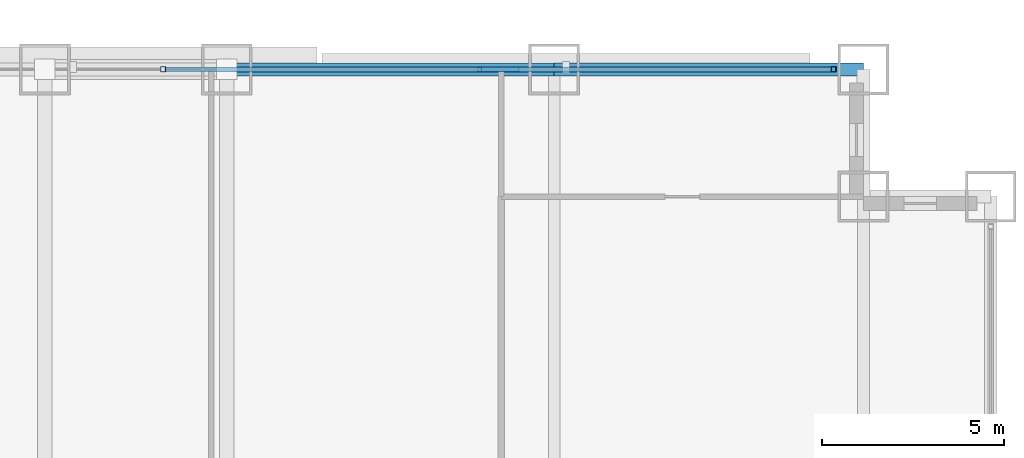
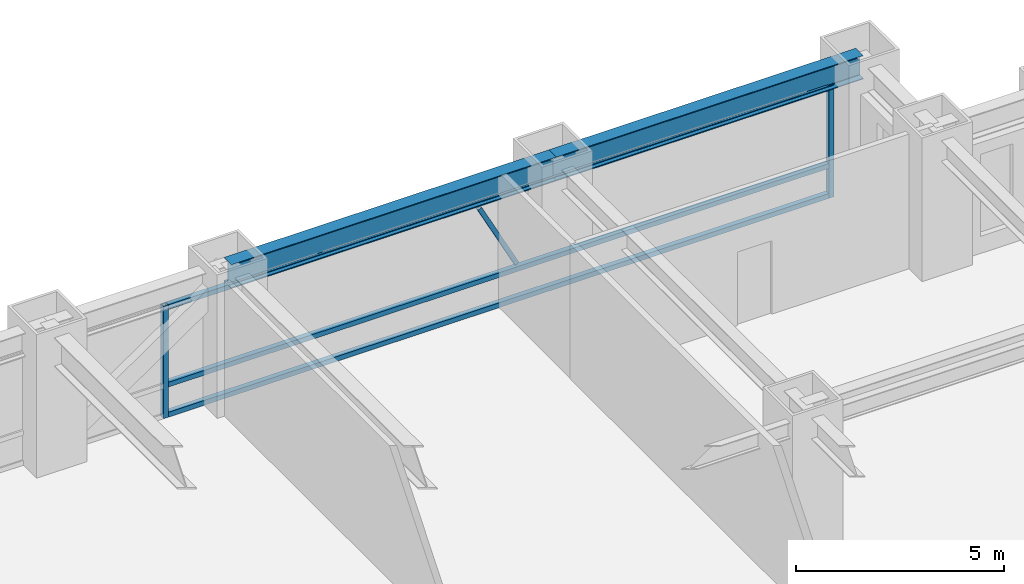
# One storey, part 21 of 31: 6 members, 2 beams, 1 element without a shape of its own.
"""IFC4 building model written with IfcOpenShell, lengths in metres."""

from ifc_helpers import new_model, si_unit, direction, frame, origin, origin_2d, place, context, subcontext, project, spatial, hollow_rectangle, i_section, extrude, source, transform, mapped, material, material_profile, profile_set, type_object, element, aggregate, save


model = new_model("IFC4")

# Units and contexts
model_context = context("Model", 3, precision=1e-05, world=origin(), true_north=direction((0.0, 1.0)))
body_context = subcontext(model_context, "Body", "Model", "MODEL_VIEW")
ifc_project = project(units=[si_unit("LENGTHUNIT", "METRE"), si_unit("AREAUNIT", "SQUARE_METRE"), si_unit("VOLUMEUNIT", "CUBIC_METRE"), si_unit("PLANEANGLEUNIT", "RADIAN"), si_unit("MASSUNIT", "GRAM", prefix="KILO")], contexts=[model_context])

# Site, building, storey
site_placement = place(None, origin())
site = spatial("IfcSite", under=ifc_project, at=site_placement, CompositionType="ELEMENT")
building_placement = place(site_placement, origin())
building = spatial("IfcBuilding", under=site, at=building_placement, Name="Khorayat Bourse Tower", CompositionType="ELEMENT")
storey_placement = place(building_placement, frame((0.0, 0.0, 32.60009765625)))
storey = spatial("IfcBuildingStorey", under=building, at=storey_placement, Name="L06", CompositionType="ELEMENT", Elevation=32.60009765625)

# Beams
ifc_material_1 = material(Name="Steel ASTM A992 Grade 50", Category="steel")
ifc_material_profile_1 = material_profile(ifc_material_1, i_section(OverallWidth=0.35498046875, OverallDepth=0.695068359375, WebThickness=0.015380859375, FlangeThickness=0.02490234375, FilletRadius=0.01806640625, at=origin_2d()), Name="W690X217")
ifc_profile_set_1 = profile_set([ifc_material_profile_1], Name="Steel ASTM A992 Grade 50")
beam_type = type_object("IfcBeamType", Name="BM-SPAN-690", PredefinedType="SPANDREL", material=ifc_profile_set_1)
shared_shape_1 = source(origin(), body_context, "Body", "SweptSolid", [
    extrude(i_section(OverallWidth=0.35498046875, OverallDepth=0.695068359375, WebThickness=0.015380859375, FlangeThickness=0.02490234375, FilletRadius=0.01806640625, at=origin_2d()), origin(), (0.0, 0.0, 1.0), 8.5),
])
beam_1_placement = place(storey_placement, frame((20.0, 32.0, 3.59228515625), z_axis=(1.0, 0.0, 0.0), x_axis=(0.0, 1.0, 0.0)))
element("IfcBeam", 1, at=beam_1_placement, inside=storey, type_object=beam_type, Name="L06 BM-SPAN-690 BM-L06-SPN-044", PredefinedType="SPANDREL", context=body_context, shape_type="MappedRepresentation", body=[
    mapped(shared_shape_1, transform((0.0, 0.0, 0.0), scale=1.0)),
])
shared_shape_2 = source(origin(), body_context, "Body", "SweptSolid", [
    extrude(i_section(OverallWidth=0.35498046875, OverallDepth=0.695068359375, WebThickness=0.015380859375, FlangeThickness=0.02490234375, FilletRadius=0.01806640625, at=origin_2d()), origin(), (0.0, 0.0, 1.0), 9.0),
])
beam_2_placement = place(storey_placement, frame((11.0, 32.0, 3.59228515625), z_axis=(1.0, 0.0, 0.0), x_axis=(0.0, 1.0, 0.0)))
element("IfcBeam", 2, at=beam_2_placement, inside=storey, type_object=beam_type, Name="L06 BM-SPAN-690 BM-L06-SPN-045", PredefinedType="SPANDREL", context=body_context, shape_type="MappedRepresentation", body=[
    mapped(shared_shape_2, transform((0.0, 0.0, 0.0), scale=1.0)),
])

# Curtain wall, members
ifc_material_2 = material(Name="Aluminium EN AW-6063 T6", Category="aluminium")
curtain_wall_type = type_object("IfcCurtainWallType", Name="CW-SYS-02", PredefinedType="NOTDEFINED", material=ifc_material_2)
curtain_wall_placement = place(storey_placement, origin())
curtain_wall = element("IfcCurtainWall", 3, at=curtain_wall_placement, inside=storey, type_object=curtain_wall_type, Name="L06 Curtain Wall CW-L06-N1", PredefinedType="NOTDEFINED")
ifc_material_profile_2 = material_profile(ifc_material_2, hollow_rectangle(XDim=0.139892578125, YDim=0.139892578125, WallThickness=0.006103515625, at=origin_2d()), Name="ALU 140x140x6")
ifc_profile_set_2 = profile_set([ifc_material_profile_2], Name="Aluminium EN AW-6063 T6")
member_type_1 = type_object("IfcMemberType", Name="CWM-VERT-140", PredefinedType="MULLION", material=ifc_profile_set_2)
shared_shape_3 = source(origin(), body_context, "Body", "SweptSolid", [
    extrude(hollow_rectangle(XDim=0.139892578125, YDim=0.139892578125, WallThickness=0.006103515625, at=origin_2d()), origin(), (0.0, 0.0, 1.0), 3.289794921875),
])
member_1_placement = place(storey_placement, frame((9.25, 32.0, 0.0), z_axis=(0.0, 0.0, 1.0), x_axis=(0.0, 1.0, 0.0)))
member_1 = element("IfcMember", 4, at=member_1_placement, type_object=member_type_1, Name="CW-L06-N1 Vertical Mullion 3", PredefinedType="MULLION", context=body_context, shape_type="MappedRepresentation", body=[
    mapped(shared_shape_3, transform((0.0, 0.0, 0.0), scale=1.0)),
])
member_2_placement = place(storey_placement, frame((27.679931640625, 32.0, 0.0), z_axis=(0.0, 0.0, 1.0), x_axis=(0.0, 1.0, 0.0)))
member_2 = element("IfcMember", 5, at=member_2_placement, type_object=member_type_1, Name="CW-L06-N1 Vertical Mullion 4", PredefinedType="MULLION", context=body_context, shape_type="MappedRepresentation", body=[
    mapped(shared_shape_3, transform((0.0, 0.0, 0.0), scale=1.0)),
])
ifc_material_profile_3 = material_profile(ifc_material_2, hollow_rectangle(XDim=0.139892578125, YDim=0.139892578125, WallThickness=0.006103515625, at=origin_2d()), Name="ALU 140x140x6")
ifc_profile_set_3 = profile_set([ifc_material_profile_3], Name="Aluminium EN AW-6063 T6")
member_type_2 = type_object("IfcMemberType", Name="CWT-HORZ-140", PredefinedType="USERDEFINED", material=ifc_profile_set_3)
shared_shape_4 = source(origin(), body_context, "Body", "SweptSolid", [
    extrude(hollow_rectangle(XDim=0.139892578125, YDim=0.139892578125, WallThickness=0.006103515625, at=origin_2d()), origin(), (0.0, 0.0, 1.0), 18.2900390625),
])
member_3_placement = place(storey_placement, frame((9.320068359375, 32.0, 0.06982421875), z_axis=(1.0, 0.0, 0.0), x_axis=(0.0, 1.0, 0.0)))
member_3 = element("IfcMember", 6, at=member_3_placement, type_object=member_type_2, Name="CW-L06-N1 Horizontal Transom 3-1", ObjectType="TRANSOM", PredefinedType="USERDEFINED", context=body_context, shape_type="MappedRepresentation", body=[
    mapped(shared_shape_4, transform((0.0, 0.0, 0.0), scale=1.0)),
])
member_4_placement = place(storey_placement, frame((9.320068359375, 32.0, 0.949951171875), z_axis=(1.0, 0.0, 0.0), x_axis=(0.0, 1.0, 0.0)))
member_4 = element("IfcMember", 7, at=member_4_placement, type_object=member_type_2, Name="CW-L06-N1 Horizontal Transom 3-2", ObjectType="TRANSOM", PredefinedType="USERDEFINED", context=body_context, shape_type="MappedRepresentation", body=[
    mapped(shared_shape_4, transform((0.0, 0.0, 0.0), scale=1.0)),
])
member_5_placement = place(storey_placement, frame((9.320068359375, 32.0, 3.219970703125), z_axis=(1.0, 0.0, 0.0), x_axis=(0.0, 1.0, 0.0)))
member_5 = element("IfcMember", 8, at=member_5_placement, type_object=member_type_2, Name="CW-L06-N1 Horizontal Transom 3-3", ObjectType="TRANSOM", PredefinedType="USERDEFINED", context=body_context, shape_type="MappedRepresentation", body=[
    mapped(shared_shape_4, transform((0.0, 0.0, 0.0), scale=1.0)),
])
ifc_material_profile_4 = material_profile(ifc_material_2, hollow_rectangle(XDim=0.1201171875, YDim=0.1201171875, WallThickness=0.0048828125, at=origin_2d()), Name="ALU 120x120x5")
ifc_profile_set_4 = profile_set([ifc_material_profile_4], Name="Aluminium EN AW-6063 T6")
member_type_3 = type_object("IfcMemberType", Name="CWM-DIAG-120", PredefinedType="MULLION", material=ifc_profile_set_4)
shared_shape_5 = source(origin(), body_context, "Body", "SweptSolid", [
    extrude(hollow_rectangle(XDim=0.1201171875, YDim=0.1201171875, WallThickness=0.0048828125, at=origin_2d()), origin(), (0.0, 0.0, 1.0), 2.22607421875),
])
member_6_placement = place(storey_placement, frame((18.9833984375, 32.0, 1.099853515625), z_axis=(-0.465759992596, 0.0, 0.884911085532), x_axis=(0.0, -1.0, 0.0)))
member_6 = element("IfcMember", 9, at=member_6_placement, type_object=member_type_3, Name="CW-L06-N1 Faceted Diagonal Mullion 3", PredefinedType="MULLION", context=body_context, shape_type="MappedRepresentation", body=[
    mapped(shared_shape_5, transform((0.0, 0.0, 0.0), scale=1.0)),
])
aggregate(curtain_wall, [member_1, member_2, member_3, member_4, member_5, member_6])

save(model, "model.ifc")
